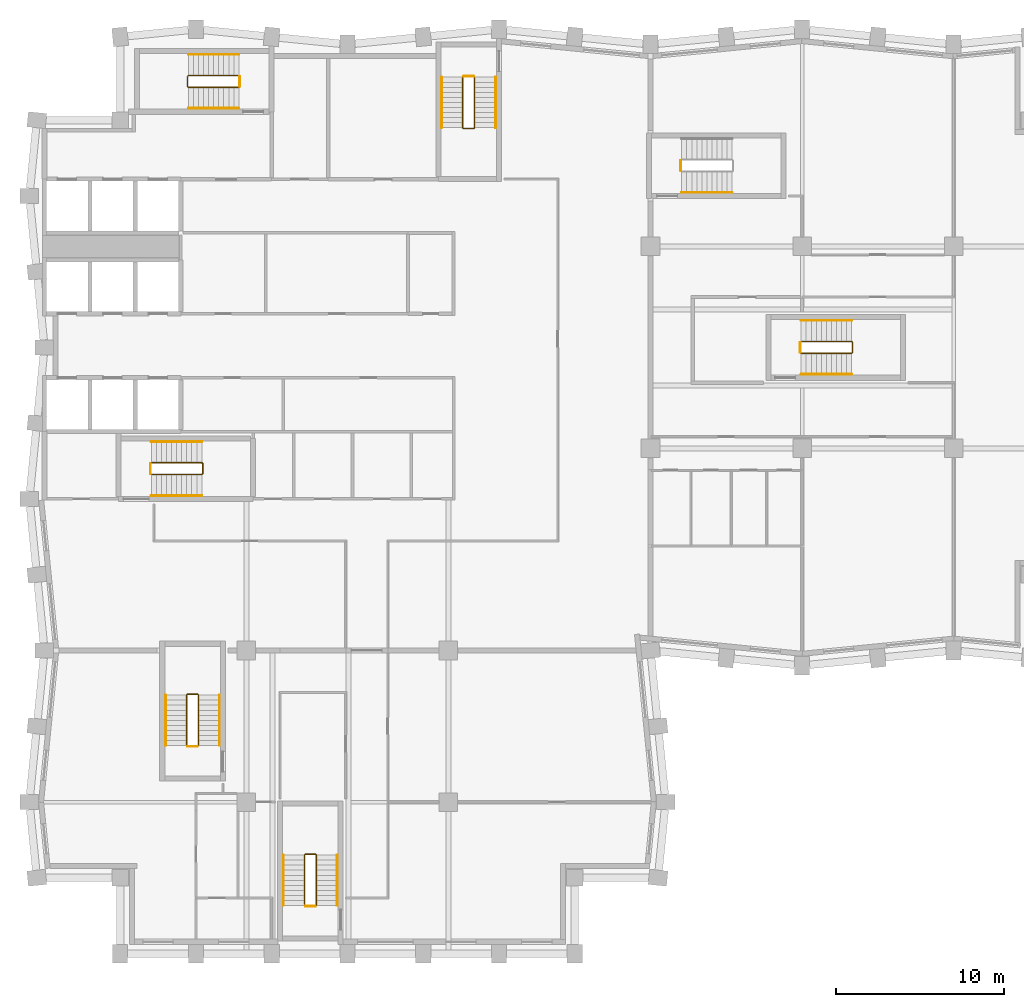
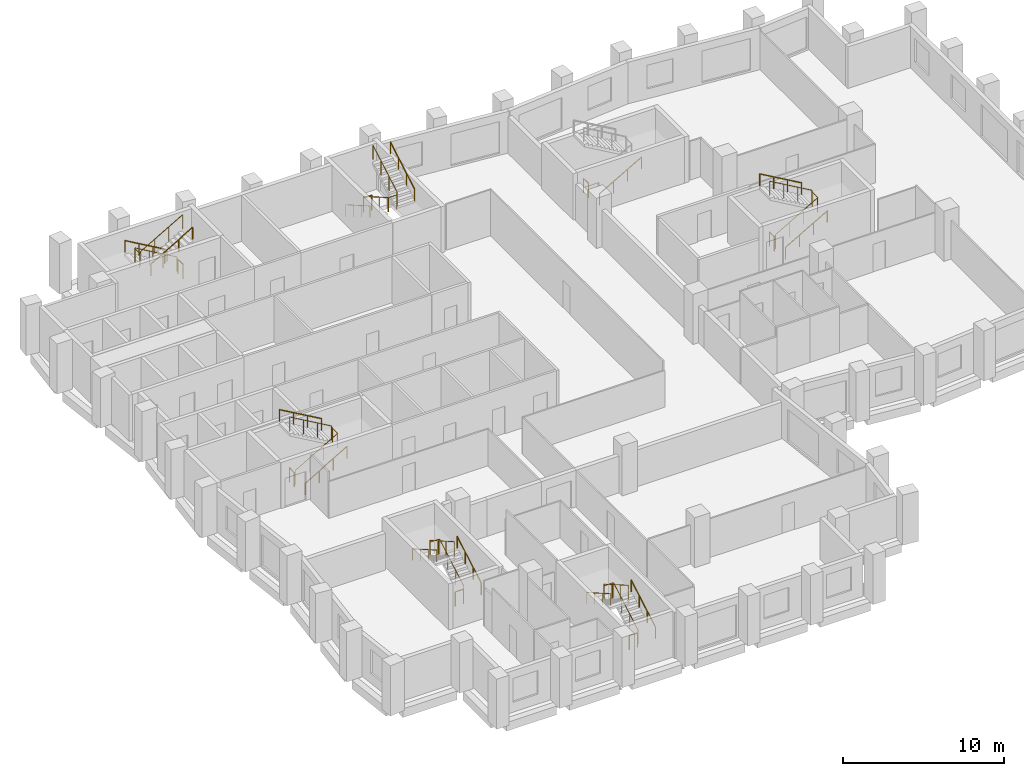
# One storey, part 9 of 10: 26 railings.
"""IFC4 building model written with IfcOpenShell, lengths in metres."""

import ifcopenshell
import ifcopenshell.guid

model = None  # the IFC model being written
_history = None  # IfcOwnerHistory: only IFC2X3 demands one
_inside = {}  # id of a spatial element -> (the spatial element, [elements in it])
_under = {}  # id of a project, library or spatial element -> (it, [spatial elements below it])
_declared = {}  # id of a project -> (the project, [libraries it declares])
_typed = {}  # id of a type object -> (the type object, [elements of that type])
_made_of = {}  # id of a material, layer set ... -> (it, [elements and type objects made of it])


def new_model(schema):
    """Start an empty IFC model of exactly this schema.

    Asked for "IFC4X3", IfcOpenShell would pick the latest addendum, in which some entities
    have other attributes; the version numbers below select the first issue.
    IFC2X3 requires an IfcOwnerHistory on every rooted entity: one is made here for all.
    """
    global model, _history
    if schema == "IFC4X3":
        model = ifcopenshell.file(schema_version=(4, 3, 0, 0))
    else:
        model = ifcopenshell.file(schema=schema)
    _inside.clear()
    _under.clear()
    _declared.clear()
    _typed.clear()
    _made_of.clear()
    _history = None
    if model.schema == "IFC2X3":
        org = make("IfcOrganization", Name="unknown")
        user = make(
            "IfcPersonAndOrganization",
            ThePerson=make("IfcPerson", FamilyName="unknown"),
            TheOrganization=org,
        )
        app = make(
            "IfcApplication",
            ApplicationDeveloper=org,
            Version="unknown",
            ApplicationFullName="unknown",
            ApplicationIdentifier="unknown",
        )
        _history = make(
            "IfcOwnerHistory",
            OwningUser=user,
            OwningApplication=app,
            ChangeAction="ADDED",
            CreationDate=0,
        )
    return model


def make(cls, **values):
    """One entity of the class cls with the attributes given. An attribute that is None is left unset."""
    return model.create_entity(
        cls, **{name: value for name, value in values.items() if value is not None}
    )


def rooted(cls, **values):
    """An entity with a GlobalId (a new one), such as an element, a storey or a relation."""
    return make(cls, GlobalId=ifcopenshell.guid.new(), OwnerHistory=_history, **values)


def si_unit(unit_type, name, prefix=None):
    """IfcSIUnit, for example si_unit("LENGTHUNIT", "METRE", prefix="MILLI")."""
    return make("IfcSIUnit", UnitType=unit_type, Prefix=prefix, Name=name)


def assignment(units):
    """IfcUnitAssignment: the units of a project."""
    return None if units is None else make("IfcUnitAssignment", Units=units)


def point(xyz):
    """IfcCartesianPoint."""
    return None if xyz is None else make("IfcCartesianPoint", Coordinates=xyz)


def direction(xyz):
    """IfcDirection."""
    return None if xyz is None else make("IfcDirection", DirectionRatios=xyz)


def frame(location, z_axis=None, x_axis=None):
    """IfcAxis2Placement3D, a coordinate frame: its origin and axes. An axis left out is left unset."""
    return make(
        "IfcAxis2Placement3D",
        Location=point(location),
        Axis=direction(z_axis),
        RefDirection=direction(x_axis),
    )


def frame_2d(location, x_axis=None):
    """IfcAxis2Placement2D, a coordinate frame in the plane: its origin and x axis."""
    return make(
        "IfcAxis2Placement2D", Location=point(location), RefDirection=direction(x_axis)
    )


def origin():
    """The frame at (0, 0, 0) with its axes left unset."""
    return frame((0.0, 0.0, 0.0))


def origin_2d():
    """The frame at (0, 0) in the plane with its x axis left unset."""
    return frame_2d((0.0, 0.0))


def place(relative_to, where):
    """IfcLocalPlacement: puts the frame where relative to a parent placement (None: the world)."""
    return make(
        "IfcLocalPlacement", PlacementRelTo=relative_to, RelativePlacement=where
    )


def context(
    kind, dimensions, precision=None, world=None, true_north=None, identifier=None
):
    """IfcGeometricRepresentationContext, for example the 3D "Model" context."""
    return make(
        "IfcGeometricRepresentationContext",
        ContextIdentifier=identifier,
        ContextType=kind,
        CoordinateSpaceDimension=dimensions,
        Precision=precision,
        WorldCoordinateSystem=world,
        TrueNorth=true_north,
    )


def subcontext(parent, identifier, kind, view, scale=None):
    """IfcGeometricRepresentationSubContext, for example "Body" below "Model"."""
    return make(
        "IfcGeometricRepresentationSubContext",
        ContextIdentifier=identifier,
        ContextType=kind,
        ParentContext=parent,
        TargetScale=scale,
        TargetView=view,
    )


def project(units=None, contexts=None):
    """IfcProject with its units and contexts."""
    return rooted(
        "IfcProject",
        Name="project",
        RepresentationContexts=contexts,
        UnitsInContext=assignment(units),
    )


def spatial(cls, under=None, at=None, **own):
    """A site, building, storey or space (cls), placed at a placement, below another one or the project."""
    s = rooted(cls, ObjectPlacement=at, **own)
    if under is not None:
        _under.setdefault(under.id(), (under, []))[1].append(s)
    return s


def profile(cls, at=None, kind="AREA", **sizes):
    """A parametric profile (cls). Its sizes go by their IFC names, for example OverallWidth=200.0."""
    return make(cls, ProfileType=kind, Position=at, **sizes)


def circle(**sizes):
    """IfcCircleProfileDef."""
    return profile("IfcCircleProfileDef", **sizes)


def extrude(swept, where, along, depth):
    """IfcExtrudedAreaSolid: the profile swept, set in the frame where, extruded along a direction by depth."""
    return make(
        "IfcExtrudedAreaSolid",
        SweptArea=swept,
        Position=where,
        ExtrudedDirection=direction(along),
        Depth=depth,
    )


def shape(context_of_items, identifier, shape_type, items):
    """IfcShapeRepresentation: the items that make up one representation, for example the "Body"."""
    return make(
        "IfcShapeRepresentation",
        ContextOfItems=context_of_items,
        RepresentationIdentifier=identifier,
        RepresentationType=shape_type,
        Items=items,
    )


def material(Name=None, Category=None):
    """IfcMaterial."""
    return make("IfcMaterial", Name=Name, Category=Category)


def made_of(thing, what):
    """Note that an element or type object is made of a material, layer set ...; save() writes the relation."""
    if what is not None:
        _made_of.setdefault(what.id(), (what, []))[1].append(thing)
    return thing


def type_object(cls, material=None, **own):
    """A type object (cls), such as IfcWallType, which elements share."""
    return made_of(rooted(cls, **own), material)


def element(
    cls,
    number,
    at=None,
    inside=None,
    cuts=None,
    type_object=None,
    material=None,
    context=None,
    identifier="Body",
    shape_type=None,
    held_by="IfcProductDefinitionShape",
    body=None,
    shapes=None,
    **own,
):
    """One element of the class cls, such as IfcWall. Its Tag is "e" and its number.

    at: its placement. inside: the storey or other place that contains it. cuts: it is an
    opening in that element (IfcRelVoidsElement). A single representation is given by context,
    identifier, shape_type and body (its items); several are given by shapes. held_by: the class
    of the entity that holds the representations. save() writes the other relations.
    """
    e = rooted(cls, Tag="e%d" % number, ObjectPlacement=at, **own)
    if body is not None:
        shapes = [shape(context, identifier, shape_type, body)]
    if shapes is not None:
        e.Representation = make(held_by, Representations=shapes)
    if inside is not None:
        _inside.setdefault(inside.id(), (inside, []))[1].append(e)
    if cuts is not None:
        rooted(
            "IfcRelVoidsElement", RelatingBuildingElement=cuts, RelatedOpeningElement=e
        )
    if type_object is not None:
        _typed.setdefault(type_object.id(), (type_object, []))[1].append(e)
    return made_of(e, material)


def aggregate(whole, parts):
    """IfcRelAggregates: a whole, such as a stair, and the parts it consists of."""
    return rooted("IfcRelAggregates", RelatingObject=whole, RelatedObjects=parts)


def save(model, path):
    """Write the relations noted so far, then the file.

    IfcRelAggregates (storeys below a building ...), IfcRelContainedInSpatialStructure (elements
    in a storey), IfcRelDefinesByType, IfcRelAssociatesMaterial and IfcRelDeclares: one each for
    every whole, place, type object, material and project.
    """
    for whole, parts in _under.values():
        aggregate(whole, parts)
    for where, things in _inside.values():
        rooted(
            "IfcRelContainedInSpatialStructure",
            RelatedElements=things,
            RelatingStructure=where,
        )
    for kind, things in _typed.values():
        rooted("IfcRelDefinesByType", RelatedObjects=things, RelatingType=kind)
    for what, things in _made_of.values():
        rooted("IfcRelAssociatesMaterial", RelatedObjects=things, RelatingMaterial=what)
    for by, libraries in _declared.values():
        rooted("IfcRelDeclares", RelatingContext=by, RelatedDefinitions=libraries)
    model.write(path)


model = new_model("IFC4")

# Units and contexts
model_context = context("Model", 3, precision=1e-05, world=origin(), true_north=direction((0.0, 1.0)))
body_context = subcontext(model_context, "Body", "Model", "MODEL_VIEW")
ifc_project = project(units=[si_unit("LENGTHUNIT", "METRE"), si_unit("AREAUNIT", "SQUARE_METRE"), si_unit("VOLUMEUNIT", "CUBIC_METRE"), si_unit("PLANEANGLEUNIT", "RADIAN"), si_unit("MASSUNIT", "GRAM", prefix="KILO")], contexts=[model_context])

# Site, building, storey
site_placement = place(None, origin())
site = spatial("IfcSite", under=ifc_project, at=site_placement, CompositionType="ELEMENT")
building_placement = place(site_placement, origin())
building = spatial("IfcBuilding", under=site, at=building_placement, Name="Brondeck Convention Tower", CompositionType="ELEMENT")
storey_placement = place(building_placement, frame((0.0, 0.0, 147.199951171875)))
storey = spatial("IfcBuildingStorey", under=building, at=storey_placement, Name="L35", CompositionType="ELEMENT", Elevation=147.199951171875)

# Railings
ifc_material = material(Name="Steel S355", Category="steel")
railing_type_1 = type_object("IfcRailingType", Name="Stair guard 1100", PredefinedType="GUARDRAIL", material=ifc_material)
railing_1_placement = place(storey_placement, frame((6.35009765625, 37.449951171875, 0.1728515625)))
element("IfcRailing", 1, at=railing_1_placement, inside=storey, type_object=railing_type_1, Name="L35 ST-1 stair guard 1", PredefinedType="GUARDRAIL", context=body_context, shape_type="SweptSolid", body=[
    extrude(circle(Radius=0.02392578125, at=origin_2d()), frame((0.0, 0.0, 1.076171875), z_axis=(0.866619684472, 0.0, 0.498969260062), x_axis=(0.0, 1.0, 0.0)), (0.0, 0.0, 1.0), 3.461669921875),
    extrude(circle(Radius=0.02392578125, at=origin_2d()), frame((3.0, 0.0, 2.80322265625), z_axis=(0.705375805398, 0.708833529934, 0.0), x_axis=(-0.708833529934, 0.705375805398, 0.0)), (0.0, 0.0, 1.0), 0.070556640625),
    extrude(circle(Radius=0.02392578125, at=origin_2d()), frame((3.0498046875, 0.050048828125, 2.80322265625), z_axis=(0.0, 1.0, 0.0), x_axis=(-1.0, 0.0, 0.0)), (0.0, 0.0, 1.0), 0.60009765625),
    extrude(circle(Radius=0.02392578125, at=origin_2d()), frame((3.0498046875, 0.650146484375, 2.80322265625), z_axis=(-0.26715648603, 0.26715648603, 0.925880566782), x_axis=(-0.707106781187, -0.707106781187, 0.0)), (0.0, 0.0, 1.0), 0.1865234375),
    extrude(circle(Radius=0.02392578125, at=origin_2d()), frame((3.0, 0.699951171875, 2.97607421875), z_axis=(-0.866619684472, 0.0, 0.498969260062), x_axis=(0.0, -1.0, 0.0)), (0.0, 0.0, 1.0), 3.461669921875),
    extrude(circle(Radius=0.02099609375, at=origin_2d()), origin(), (0.0, 0.0, 1.0), 1.052001953125),
    extrude(circle(Radius=0.02099609375, at=origin_2d()), frame((1.0, 0.0, 0.57568359375)), (0.0, 0.0, 1.0), 1.052001953125),
    extrude(circle(Radius=0.02099609375, at=origin_2d()), frame((2.0, 0.0, 1.151611328125)), (0.0, 0.0, 1.0), 1.052001953125),
    extrude(circle(Radius=0.02099609375, at=origin_2d()), frame((3.0, 0.0, 1.727294921875)), (0.0, 0.0, 1.0), 1.052001953125),
    extrude(circle(Radius=0.02099609375, at=origin_2d()), frame((3.0498046875, 0.050048828125, 1.727294921875)), (0.0, 0.0, 1.0), 1.052001953125),
    extrude(circle(Radius=0.02099609375, at=origin_2d()), frame((3.0498046875, 0.650146484375, 1.727294921875)), (0.0, 0.0, 1.0), 1.052001953125),
    extrude(circle(Radius=0.02099609375, at=origin_2d()), frame((3.0, 0.699951171875, 1.89990234375)), (0.0, 0.0, 1.0), 1.052001953125),
    extrude(circle(Radius=0.02099609375, at=origin_2d()), frame((2.0, 0.699951171875, 2.4755859375)), (0.0, 0.0, 1.0), 1.052001953125),
    extrude(circle(Radius=0.02099609375, at=origin_2d()), frame((1.0, 0.699951171875, 3.051513671875)), (0.0, 0.0, 1.0), 1.052001953125),
    extrude(circle(Radius=0.02099609375, at=origin_2d()), frame((0.0, 0.699951171875, 3.627197265625)), (0.0, 0.0, 1.0), 1.052001953125),
])
railing_2_placement = place(storey_placement, frame((6.300048828125, 37.5, 0.0)))
element("IfcRailing", 2, at=railing_2_placement, inside=storey, type_object=railing_type_1, Name="L35 ST-1 stair guard 2", PredefinedType="GUARDRAIL", context=body_context, shape_type="SweptSolid", body=[
    extrude(circle(Radius=0.02392578125, at=origin_2d()), frame((0.0, 0.0, 1.076171875), z_axis=(0.0, 1.0, 0.0), x_axis=(-1.0, 0.0, 0.0)), (0.0, 0.0, 1.0), 0.60009765625),
    extrude(circle(Radius=0.02099609375, at=origin_2d()), origin(), (0.0, 0.0, 1.0), 1.052001953125),
    extrude(circle(Radius=0.02099609375, at=origin_2d()), frame((0.0, 0.60009765625, 0.0)), (0.0, 0.0, 1.0), 1.052001953125),
])
railing_3_placement = place(storey_placement, frame((24.85009765625, 61.050048828125, 0.1728515625)))
element("IfcRailing", 3, at=railing_3_placement, inside=storey, type_object=railing_type_1, Name="L35 ST-2 stair guard 1", PredefinedType="GUARDRAIL", context=body_context, shape_type="SweptSolid", body=[
    extrude(circle(Radius=0.02392578125, at=origin_2d()), frame((0.0, 0.0, 1.076171875), z_axis=(0.0, -0.866619684472, 0.498969260062), x_axis=(1.0, 0.0, 0.0)), (0.0, 0.0, 1.0), 3.461669921875),
    extrude(circle(Radius=0.02392578125, at=origin_2d()), frame((0.0, -3.0, 2.80322265625), z_axis=(0.705375805398, -0.708833529934, 0.0), x_axis=(0.708833529934, 0.705375805398, 0.0)), (0.0, 0.0, 1.0), 0.070556640625),
    extrude(circle(Radius=0.02392578125, at=origin_2d()), frame((0.0498046875, -3.050048828125, 2.80322265625), z_axis=(1.0, 0.0, 0.0), x_axis=(0.0, 1.0, 0.0)), (0.0, 0.0, 1.0), 0.60009765625),
    extrude(circle(Radius=0.02392578125, at=origin_2d()), frame((0.64990234375, -3.050048828125, 2.80322265625), z_axis=(0.268277960024, 0.268277960024, 0.925231793839), x_axis=(-0.707106781187, 0.707106781187, 0.0)), (0.0, 0.0, 1.0), 0.1865234375),
    extrude(circle(Radius=0.02392578125, at=origin_2d()), frame((0.699951171875, -3.0, 2.97607421875), z_axis=(0.0, 0.866619684472, 0.498969260062), x_axis=(-1.0, 0.0, 0.0)), (0.0, 0.0, 1.0), 3.461669921875),
    extrude(circle(Radius=0.02099609375, at=origin_2d()), origin(), (0.0, 0.0, 1.0), 1.052001953125),
    extrude(circle(Radius=0.02099609375, at=origin_2d()), frame((0.0, -1.0, 0.57568359375)), (0.0, 0.0, 1.0), 1.052001953125),
    extrude(circle(Radius=0.02099609375, at=origin_2d()), frame((0.0, -2.0, 1.151611328125)), (0.0, 0.0, 1.0), 1.052001953125),
    extrude(circle(Radius=0.02099609375, at=origin_2d()), frame((0.0, -3.0, 1.727294921875)), (0.0, 0.0, 1.0), 1.052001953125),
    extrude(circle(Radius=0.02099609375, at=origin_2d()), frame((0.0498046875, -3.050048828125, 1.727294921875)), (0.0, 0.0, 1.0), 1.052001953125),
    extrude(circle(Radius=0.02099609375, at=origin_2d()), frame((0.64990234375, -3.050048828125, 1.727294921875)), (0.0, 0.0, 1.0), 1.052001953125),
    extrude(circle(Radius=0.02099609375, at=origin_2d()), frame((0.699951171875, -3.0, 1.89990234375)), (0.0, 0.0, 1.0), 1.052001953125),
    extrude(circle(Radius=0.02099609375, at=origin_2d()), frame((0.699951171875, -2.0, 2.4755859375)), (0.0, 0.0, 1.0), 1.052001953125),
    extrude(circle(Radius=0.02099609375, at=origin_2d()), frame((0.699951171875, -1.0, 3.051513671875)), (0.0, 0.0, 1.0), 1.052001953125),
    extrude(circle(Radius=0.02099609375, at=origin_2d()), frame((0.699951171875, 0.0, 3.627197265625)), (0.0, 0.0, 1.0), 1.052001953125),
])
railing_4_placement = place(storey_placement, frame((24.89990234375, 61.10009765625, 0.0)))
element("IfcRailing", 4, at=railing_4_placement, inside=storey, type_object=railing_type_1, Name="L35 ST-2 stair guard 2", PredefinedType="GUARDRAIL", context=body_context, shape_type="SweptSolid", body=[
    extrude(circle(Radius=0.02392578125, at=origin_2d()), frame((0.0, 0.0, 1.076171875), z_axis=(1.0, 0.0, 0.0), x_axis=(0.0, 1.0, 0.0)), (0.0, 0.0, 1.0), 0.60009765625),
    extrude(circle(Radius=0.02099609375, at=origin_2d()), origin(), (0.0, 0.0, 1.0), 1.052001953125),
    extrude(circle(Radius=0.02099609375, at=origin_2d()), frame((0.60009765625, 0.0, 0.0)), (0.0, 0.0, 1.0), 1.052001953125),
])
railing_5_placement = place(storey_placement, frame((11.550048828125, 61.14990234375, 0.1728515625)))
element("IfcRailing", 5, at=railing_5_placement, inside=storey, type_object=railing_type_1, Name="L35 ST-3 stair guard 1", PredefinedType="GUARDRAIL", context=body_context, shape_type="SweptSolid", body=[
    extrude(circle(Radius=0.02392578125, at=origin_2d()), frame((0.0, 0.0, 1.076171875), z_axis=(-0.866619684472, 0.0, 0.498969260062), x_axis=(0.0, -1.0, 0.0)), (0.0, 0.0, 1.0), 3.461669921875),
    extrude(circle(Radius=0.02392578125, at=origin_2d()), frame((-3.0, 0.0, 2.80322265625), z_axis=(-0.708833529934, -0.705375805398, 0.0), x_axis=(0.705375805398, -0.708833529934, 0.0)), (0.0, 0.0, 1.0), 0.070556640625),
    extrude(circle(Radius=0.02392578125, at=origin_2d()), frame((-3.050048828125, -0.0498046875, 2.80322265625), z_axis=(0.0, -1.0, 0.0), x_axis=(1.0, 0.0, 0.0)), (0.0, 0.0, 1.0), 0.60009765625),
    extrude(circle(Radius=0.02392578125, at=origin_2d()), frame((-3.050048828125, -0.64990234375, 2.80322265625), z_axis=(0.268277960024, -0.268277960024, 0.925231793839), x_axis=(0.707106781187, 0.707106781187, 0.0)), (0.0, 0.0, 1.0), 0.1865234375),
    extrude(circle(Radius=0.02392578125, at=origin_2d()), frame((-3.0, -0.699951171875, 2.97607421875), z_axis=(0.866619684472, 0.0, 0.498969260062), x_axis=(0.0, 1.0, 0.0)), (0.0, 0.0, 1.0), 3.461669921875),
    extrude(circle(Radius=0.02099609375, at=origin_2d()), origin(), (0.0, 0.0, 1.0), 1.052001953125),
    extrude(circle(Radius=0.02099609375, at=origin_2d()), frame((-1.0, 0.0, 0.57568359375)), (0.0, 0.0, 1.0), 1.052001953125),
    extrude(circle(Radius=0.02099609375, at=origin_2d()), frame((-2.0, 0.0, 1.151611328125)), (0.0, 0.0, 1.0), 1.052001953125),
    extrude(circle(Radius=0.02099609375, at=origin_2d()), frame((-3.0, 0.0, 1.727294921875)), (0.0, 0.0, 1.0), 1.052001953125),
    extrude(circle(Radius=0.02099609375, at=origin_2d()), frame((-3.050048828125, -0.0498046875, 1.727294921875)), (0.0, 0.0, 1.0), 1.052001953125),
    extrude(circle(Radius=0.02099609375, at=origin_2d()), frame((-3.050048828125, -0.64990234375, 1.727294921875)), (0.0, 0.0, 1.0), 1.052001953125),
    extrude(circle(Radius=0.02099609375, at=origin_2d()), frame((-3.0, -0.699951171875, 1.89990234375)), (0.0, 0.0, 1.0), 1.052001953125),
    extrude(circle(Radius=0.02099609375, at=origin_2d()), frame((-2.0, -0.699951171875, 2.4755859375)), (0.0, 0.0, 1.0), 1.052001953125),
    extrude(circle(Radius=0.02099609375, at=origin_2d()), frame((-1.0, -0.699951171875, 3.051513671875)), (0.0, 0.0, 1.0), 1.052001953125),
    extrude(circle(Radius=0.02099609375, at=origin_2d()), frame((0.0, -0.699951171875, 3.627197265625)), (0.0, 0.0, 1.0), 1.052001953125),
])
railing_6_placement = place(storey_placement, frame((11.60009765625, 61.10009765625, 0.0)))
element("IfcRailing", 6, at=railing_6_placement, inside=storey, type_object=railing_type_1, Name="L35 ST-3 stair guard 2", PredefinedType="GUARDRAIL", context=body_context, shape_type="SweptSolid", body=[
    extrude(circle(Radius=0.02392578125, at=origin_2d()), frame((0.0, 0.0, 1.076171875), z_axis=(0.0, -1.0, 0.0), x_axis=(1.0, 0.0, 0.0)), (0.0, 0.0, 1.0), 0.60009765625),
    extrude(circle(Radius=0.02099609375, at=origin_2d()), origin(), (0.0, 0.0, 1.0), 1.052001953125),
    extrude(circle(Radius=0.02099609375, at=origin_2d()), frame((0.0, -0.60009765625, 0.0)), (0.0, 0.0, 1.0), 1.052001953125),
])
railing_7_placement = place(storey_placement, frame((37.800048828125, 55.5, 0.0)))
element("IfcRailing", 7, at=railing_7_placement, inside=storey, type_object=railing_type_1, Name="L35 ST-AE stair guard 2", PredefinedType="GUARDRAIL", context=body_context, shape_type="SweptSolid", body=[
    extrude(circle(Radius=0.02392578125, at=origin_2d()), frame((0.0, 0.0, 1.076171875), z_axis=(0.0, 1.0, 0.0), x_axis=(-1.0, 0.0, 0.0)), (0.0, 0.0, 1.0), 0.60009765625),
    extrude(circle(Radius=0.02099609375, at=origin_2d()), origin(), (0.0, 0.0, 1.0), 1.052001953125),
    extrude(circle(Radius=0.02099609375, at=origin_2d()), frame((0.0, 0.60009765625, 0.0)), (0.0, 0.0, 1.0), 1.052001953125),
])
railing_8_placement = place(storey_placement, frame((9.14990234375, 21.35009765625, 0.1728515625)))
element("IfcRailing", 8, at=railing_8_placement, inside=storey, type_object=railing_type_1, Name="L35 ST-BE stair guard 1", PredefinedType="GUARDRAIL", context=body_context, shape_type="SweptSolid", body=[
    extrude(circle(Radius=0.02392578125, at=origin_2d()), frame((0.0, 0.0, 1.076171875), z_axis=(0.0, 0.866619684472, 0.498969260062), x_axis=(-1.0, 0.0, 0.0)), (0.0, 0.0, 1.0), 3.461669921875),
    extrude(circle(Radius=0.02392578125, at=origin_2d()), frame((0.0, 3.0, 2.80322265625), z_axis=(-0.707106781187, 0.707106781187, 0.0), x_axis=(-0.707106781187, -0.707106781187, 0.0)), (0.0, 0.0, 1.0), 0.0703125),
    extrude(circle(Radius=0.02392578125, at=origin_2d()), frame((-0.0498046875, 3.0498046875, 2.80322265625), z_axis=(-1.0, 0.0, 0.0), x_axis=(0.0, -1.0, 0.0)), (0.0, 0.0, 1.0), 0.60009765625),
    extrude(circle(Radius=0.02392578125, at=origin_2d()), frame((-0.64990234375, 3.0498046875, 2.80322265625), z_axis=(-0.268371968888, -0.267062837333, 0.925556009775), x_axis=(0.705375805398, -0.708833529934, 0.0)), (0.0, 0.0, 1.0), 0.1865234375),
    extrude(circle(Radius=0.02392578125, at=origin_2d()), frame((-0.699951171875, 3.0, 2.97607421875), z_axis=(0.0, -0.866619684472, 0.498969260062), x_axis=(1.0, 0.0, 0.0)), (0.0, 0.0, 1.0), 3.461669921875),
    extrude(circle(Radius=0.02099609375, at=origin_2d()), origin(), (0.0, 0.0, 1.0), 1.052001953125),
    extrude(circle(Radius=0.02099609375, at=origin_2d()), frame((0.0, 1.0, 0.57568359375)), (0.0, 0.0, 1.0), 1.052001953125),
    extrude(circle(Radius=0.02099609375, at=origin_2d()), frame((0.0, 2.0, 1.151611328125)), (0.0, 0.0, 1.0), 1.052001953125),
    extrude(circle(Radius=0.02099609375, at=origin_2d()), frame((0.0, 3.0, 1.727294921875)), (0.0, 0.0, 1.0), 1.052001953125),
    extrude(circle(Radius=0.02099609375, at=origin_2d()), frame((-0.0498046875, 3.0498046875, 1.727294921875)), (0.0, 0.0, 1.0), 1.052001953125),
    extrude(circle(Radius=0.02099609375, at=origin_2d()), frame((-0.64990234375, 3.0498046875, 1.727294921875)), (0.0, 0.0, 1.0), 1.052001953125),
    extrude(circle(Radius=0.02099609375, at=origin_2d()), frame((-0.699951171875, 3.0, 1.89990234375)), (0.0, 0.0, 1.0), 1.052001953125),
    extrude(circle(Radius=0.02099609375, at=origin_2d()), frame((-0.699951171875, 2.0, 2.4755859375)), (0.0, 0.0, 1.0), 1.052001953125),
    extrude(circle(Radius=0.02099609375, at=origin_2d()), frame((-0.699951171875, 1.0, 3.051513671875)), (0.0, 0.0, 1.0), 1.052001953125),
    extrude(circle(Radius=0.02099609375, at=origin_2d()), frame((-0.699951171875, 0.0, 3.627197265625)), (0.0, 0.0, 1.0), 1.052001953125),
])
railing_9_placement = place(storey_placement, frame((9.10009765625, 21.300048828125, 0.0)))
element("IfcRailing", 9, at=railing_9_placement, inside=storey, type_object=railing_type_1, Name="L35 ST-BE stair guard 2", PredefinedType="GUARDRAIL", context=body_context, shape_type="SweptSolid", body=[
    extrude(circle(Radius=0.02392578125, at=origin_2d()), frame((0.0, 0.0, 1.076171875), z_axis=(-1.0, 0.0, 0.0), x_axis=(0.0, -1.0, 0.0)), (0.0, 0.0, 1.0), 0.60009765625),
    extrude(circle(Radius=0.02099609375, at=origin_2d()), origin(), (0.0, 0.0, 1.0), 1.052001953125),
    extrude(circle(Radius=0.02099609375, at=origin_2d()), frame((-0.60009765625, 0.0, 0.0)), (0.0, 0.0, 1.0), 1.052001953125),
])
railing_10_placement = place(storey_placement, frame((44.949951171875, 44.64990234375, 0.1728515625)))
element("IfcRailing", 10, at=railing_10_placement, inside=storey, type_object=railing_type_1, Name="L35 ST-AF stair guard 1", PredefinedType="GUARDRAIL", context=body_context, shape_type="SweptSolid", body=[
    extrude(circle(Radius=0.02392578125, at=origin_2d()), frame((0.0, 0.0, 1.076171875), z_axis=(0.866619684472, 0.0, 0.498969260062), x_axis=(0.0, 1.0, 0.0)), (0.0, 0.0, 1.0), 3.461669921875),
    extrude(circle(Radius=0.02392578125, at=origin_2d()), frame((3.0, 0.0, 2.80322265625), z_axis=(0.707106781187, 0.707106781187, 0.0), x_axis=(-0.707106781187, 0.707106781187, 0.0)), (0.0, 0.0, 1.0), 0.07080078125),
    extrude(circle(Radius=0.02392578125, at=origin_2d()), frame((3.050048828125, 0.050048828125, 2.80322265625), z_axis=(0.0, 1.0, 0.0), x_axis=(-1.0, 0.0, 0.0)), (0.0, 0.0, 1.0), 0.60009765625),
    extrude(circle(Radius=0.02392578125, at=origin_2d()), frame((3.050048828125, 0.650146484375, 2.80322265625), z_axis=(-0.268277960024, 0.268277960024, 0.925231793839), x_axis=(-0.707106781187, -0.707106781187, 0.0)), (0.0, 0.0, 1.0), 0.1865234375),
    extrude(circle(Radius=0.02392578125, at=origin_2d()), frame((3.0, 0.7001953125, 2.97607421875), z_axis=(-0.866619684472, 0.0, 0.498969260062), x_axis=(0.0, -1.0, 0.0)), (0.0, 0.0, 1.0), 3.461669921875),
    extrude(circle(Radius=0.02099609375, at=origin_2d()), origin(), (0.0, 0.0, 1.0), 1.052001953125),
    extrude(circle(Radius=0.02099609375, at=origin_2d()), frame((1.0, 0.0, 0.57568359375)), (0.0, 0.0, 1.0), 1.052001953125),
    extrude(circle(Radius=0.02099609375, at=origin_2d()), frame((2.0, 0.0, 1.151611328125)), (0.0, 0.0, 1.0), 1.052001953125),
    extrude(circle(Radius=0.02099609375, at=origin_2d()), frame((3.0, 0.0, 1.727294921875)), (0.0, 0.0, 1.0), 1.052001953125),
    extrude(circle(Radius=0.02099609375, at=origin_2d()), frame((3.050048828125, 0.050048828125, 1.727294921875)), (0.0, 0.0, 1.0), 1.052001953125),
    extrude(circle(Radius=0.02099609375, at=origin_2d()), frame((3.050048828125, 0.650146484375, 1.727294921875)), (0.0, 0.0, 1.0), 1.052001953125),
    extrude(circle(Radius=0.02099609375, at=origin_2d()), frame((3.0, 0.7001953125, 1.89990234375)), (0.0, 0.0, 1.0), 1.052001953125),
    extrude(circle(Radius=0.02099609375, at=origin_2d()), frame((2.0, 0.7001953125, 2.4755859375)), (0.0, 0.0, 1.0), 1.052001953125),
    extrude(circle(Radius=0.02099609375, at=origin_2d()), frame((1.0, 0.7001953125, 3.051513671875)), (0.0, 0.0, 1.0), 1.052001953125),
    extrude(circle(Radius=0.02099609375, at=origin_2d()), frame((0.0, 0.7001953125, 3.627197265625)), (0.0, 0.0, 1.0), 1.052001953125),
])
railing_11_placement = place(storey_placement, frame((44.89990234375, 44.699951171875, 0.0)))
element("IfcRailing", 11, at=railing_11_placement, inside=storey, type_object=railing_type_1, Name="L35 ST-AF stair guard 2", PredefinedType="GUARDRAIL", context=body_context, shape_type="SweptSolid", body=[
    extrude(circle(Radius=0.02392578125, at=origin_2d()), frame((0.0, 0.0, 1.076171875), z_axis=(0.0, 1.0, 0.0), x_axis=(-1.0, 0.0, 0.0)), (0.0, 0.0, 1.0), 0.60009765625),
    extrude(circle(Radius=0.02099609375, at=origin_2d()), origin(), (0.0, 0.0, 1.0), 1.052001953125),
    extrude(circle(Radius=0.02099609375, at=origin_2d()), frame((0.0, 0.60009765625, 0.0)), (0.0, 0.0, 1.0), 1.052001953125),
])
railing_12_placement = place(storey_placement, frame((16.14990234375, 11.85009765625, 0.1728515625)))
element("IfcRailing", 12, at=railing_12_placement, inside=storey, type_object=railing_type_1, Name="L35 ST-BF stair guard 1", PredefinedType="GUARDRAIL", context=body_context, shape_type="SweptSolid", body=[
    extrude(circle(Radius=0.02392578125, at=origin_2d()), frame((0.0, 0.0, 1.076171875), z_axis=(0.0, 0.866619684472, 0.498969260062), x_axis=(-1.0, 0.0, 0.0)), (0.0, 0.0, 1.0), 3.461669921875),
    extrude(circle(Radius=0.02392578125, at=origin_2d()), frame((0.0, 3.0, 2.80322265625), z_axis=(-0.707106781187, 0.707106781187, 0.0), x_axis=(-0.707106781187, -0.707106781187, 0.0)), (0.0, 0.0, 1.0), 0.0703125),
    extrude(circle(Radius=0.02392578125, at=origin_2d()), frame((-0.0498046875, 3.0498046875, 2.80322265625), z_axis=(-1.0, 0.0, 0.0), x_axis=(0.0, -1.0, 0.0)), (0.0, 0.0, 1.0), 0.60009765625),
    extrude(circle(Radius=0.02392578125, at=origin_2d()), frame((-0.64990234375, 3.0498046875, 2.80322265625), z_axis=(-0.268371968888, -0.267062837333, 0.925556009775), x_axis=(0.705375805398, -0.708833529934, 0.0)), (0.0, 0.0, 1.0), 0.1865234375),
    extrude(circle(Radius=0.02392578125, at=origin_2d()), frame((-0.699951171875, 3.0, 2.97607421875), z_axis=(0.0, -0.866619684472, 0.498969260062), x_axis=(1.0, 0.0, 0.0)), (0.0, 0.0, 1.0), 3.461669921875),
    extrude(circle(Radius=0.02099609375, at=origin_2d()), origin(), (0.0, 0.0, 1.0), 1.052001953125),
    extrude(circle(Radius=0.02099609375, at=origin_2d()), frame((0.0, 1.0, 0.57568359375)), (0.0, 0.0, 1.0), 1.052001953125),
    extrude(circle(Radius=0.02099609375, at=origin_2d()), frame((0.0, 2.0, 1.151611328125)), (0.0, 0.0, 1.0), 1.052001953125),
    extrude(circle(Radius=0.02099609375, at=origin_2d()), frame((0.0, 3.0, 1.727294921875)), (0.0, 0.0, 1.0), 1.052001953125),
    extrude(circle(Radius=0.02099609375, at=origin_2d()), frame((-0.0498046875, 3.0498046875, 1.727294921875)), (0.0, 0.0, 1.0), 1.052001953125),
    extrude(circle(Radius=0.02099609375, at=origin_2d()), frame((-0.64990234375, 3.0498046875, 1.727294921875)), (0.0, 0.0, 1.0), 1.052001953125),
    extrude(circle(Radius=0.02099609375, at=origin_2d()), frame((-0.699951171875, 3.0, 1.89990234375)), (0.0, 0.0, 1.0), 1.052001953125),
    extrude(circle(Radius=0.02099609375, at=origin_2d()), frame((-0.699951171875, 2.0, 2.4755859375)), (0.0, 0.0, 1.0), 1.052001953125),
    extrude(circle(Radius=0.02099609375, at=origin_2d()), frame((-0.699951171875, 1.0, 3.051513671875)), (0.0, 0.0, 1.0), 1.052001953125),
    extrude(circle(Radius=0.02099609375, at=origin_2d()), frame((-0.699951171875, 0.0, 3.627197265625)), (0.0, 0.0, 1.0), 1.052001953125),
])
railing_13_placement = place(storey_placement, frame((16.10009765625, 11.800048828125, 0.0)))
element("IfcRailing", 13, at=railing_13_placement, inside=storey, type_object=railing_type_1, Name="L35 ST-BF stair guard 2", PredefinedType="GUARDRAIL", context=body_context, shape_type="SweptSolid", body=[
    extrude(circle(Radius=0.02392578125, at=origin_2d()), frame((0.0, 0.0, 1.076171875), z_axis=(-1.0, 0.0, 0.0), x_axis=(0.0, -1.0, 0.0)), (0.0, 0.0, 1.0), 0.60009765625),
    extrude(circle(Radius=0.02099609375, at=origin_2d()), origin(), (0.0, 0.0, 1.0), 1.052001953125),
    extrude(circle(Radius=0.02099609375, at=origin_2d()), frame((-0.60009765625, 0.0, 0.0)), (0.0, 0.0, 1.0), 1.052001953125),
])
railing_type_2 = type_object("IfcRailingType", Name="Stair handrail", PredefinedType="HANDRAIL", material=ifc_material)
railing_14_placement = place(storey_placement, frame((6.35009765625, 36.199951171875, 0.1728515625)))
element("IfcRailing", 14, at=railing_14_placement, inside=storey, type_object=railing_type_2, Name="L35 ST-1 stair handrail 1", PredefinedType="HANDRAIL", context=body_context, shape_type="SweptSolid", body=[
    extrude(circle(Radius=0.02392578125, at=origin_2d()), frame((0.0, 0.0, 0.8759765625), z_axis=(0.866619684472, 0.0, 0.498969260062), x_axis=(0.0, 1.0, 0.0)), (0.0, 0.0, 1.0), 3.461669921875),
    extrude(circle(Radius=0.02099609375, at=origin_2d()), origin(), (0.0, 0.0, 1.0), 0.851806640625),
    extrude(circle(Radius=0.02099609375, at=origin_2d()), frame((1.0, 0.0, 0.57568359375)), (0.0, 0.0, 1.0), 0.851806640625),
    extrude(circle(Radius=0.02099609375, at=origin_2d()), frame((2.0, 0.0, 1.151611328125)), (0.0, 0.0, 1.0), 0.851806640625),
    extrude(circle(Radius=0.02099609375, at=origin_2d()), frame((3.0, 0.0, 1.727294921875)), (0.0, 0.0, 1.0), 0.851806640625),
])
railing_15_placement = place(storey_placement, frame((9.35009765625, 39.39990234375, 2.07275390625)))
element("IfcRailing", 15, at=railing_15_placement, inside=storey, type_object=railing_type_2, Name="L35 ST-1 stair handrail 2", PredefinedType="HANDRAIL", context=body_context, shape_type="SweptSolid", body=[
    extrude(circle(Radius=0.02392578125, at=origin_2d()), frame((0.0, 0.0, 0.8759765625), z_axis=(-0.866619684472, 0.0, 0.498969260062), x_axis=(0.0, -1.0, 0.0)), (0.0, 0.0, 1.0), 3.461669921875),
    extrude(circle(Radius=0.02099609375, at=origin_2d()), origin(), (0.0, 0.0, 1.0), 0.851806640625),
    extrude(circle(Radius=0.02099609375, at=origin_2d()), frame((-1.0, 0.0, 0.57568359375)), (0.0, 0.0, 1.0), 0.851806640625),
    extrude(circle(Radius=0.02099609375, at=origin_2d()), frame((-2.0, 0.0, 1.151611328125)), (0.0, 0.0, 1.0), 0.851806640625),
    extrude(circle(Radius=0.02099609375, at=origin_2d()), frame((-3.0, 0.0, 1.727294921875)), (0.0, 0.0, 1.0), 0.851806640625),
])
railing_16_placement = place(storey_placement, frame((23.60009765625, 61.050048828125, 0.1728515625)))
element("IfcRailing", 16, at=railing_16_placement, inside=storey, type_object=railing_type_2, Name="L35 ST-2 stair handrail 1", PredefinedType="HANDRAIL", context=body_context, shape_type="SweptSolid", body=[
    extrude(circle(Radius=0.02392578125, at=origin_2d()), frame((0.0, 0.0, 0.8759765625), z_axis=(0.0, -0.866619684472, 0.498969260062), x_axis=(1.0, 0.0, 0.0)), (0.0, 0.0, 1.0), 3.461669921875),
    extrude(circle(Radius=0.02099609375, at=origin_2d()), origin(), (0.0, 0.0, 1.0), 0.851806640625),
    extrude(circle(Radius=0.02099609375, at=origin_2d()), frame((0.0, -1.0, 0.57568359375)), (0.0, 0.0, 1.0), 0.851806640625),
    extrude(circle(Radius=0.02099609375, at=origin_2d()), frame((0.0, -2.0, 1.151611328125)), (0.0, 0.0, 1.0), 0.851806640625),
    extrude(circle(Radius=0.02099609375, at=origin_2d()), frame((0.0, -3.0, 1.727294921875)), (0.0, 0.0, 1.0), 0.851806640625),
])
railing_17_placement = place(storey_placement, frame((26.800048828125, 58.050048828125, 2.07275390625)))
element("IfcRailing", 17, at=railing_17_placement, inside=storey, type_object=railing_type_2, Name="L35 ST-2 stair handrail 2", PredefinedType="HANDRAIL", context=body_context, shape_type="SweptSolid", body=[
    extrude(circle(Radius=0.02392578125, at=origin_2d()), frame((0.0, 0.0, 0.8759765625), z_axis=(0.0, 0.866619684472, 0.498969260062), x_axis=(-1.0, 0.0, 0.0)), (0.0, 0.0, 1.0), 3.461669921875),
    extrude(circle(Radius=0.02099609375, at=origin_2d()), origin(), (0.0, 0.0, 1.0), 0.851806640625),
    extrude(circle(Radius=0.02099609375, at=origin_2d()), frame((0.0, 1.0, 0.57568359375)), (0.0, 0.0, 1.0), 0.851806640625),
    extrude(circle(Radius=0.02099609375, at=origin_2d()), frame((0.0, 2.0, 1.151611328125)), (0.0, 0.0, 1.0), 0.851806640625),
    extrude(circle(Radius=0.02099609375, at=origin_2d()), frame((0.0, 3.0, 1.727294921875)), (0.0, 0.0, 1.0), 0.851806640625),
])
railing_18_placement = place(storey_placement, frame((11.550048828125, 62.39990234375, 0.1728515625)))
element("IfcRailing", 18, at=railing_18_placement, inside=storey, type_object=railing_type_2, Name="L35 ST-3 stair handrail 1", PredefinedType="HANDRAIL", context=body_context, shape_type="SweptSolid", body=[
    extrude(circle(Radius=0.02392578125, at=origin_2d()), frame((0.0, 0.0, 0.8759765625), z_axis=(-0.866619684472, 0.0, 0.498969260062), x_axis=(0.0, -1.0, 0.0)), (0.0, 0.0, 1.0), 3.461669921875),
    extrude(circle(Radius=0.02099609375, at=origin_2d()), origin(), (0.0, 0.0, 1.0), 0.851806640625),
    extrude(circle(Radius=0.02099609375, at=origin_2d()), frame((-1.0, 0.0, 0.57568359375)), (0.0, 0.0, 1.0), 0.851806640625),
    extrude(circle(Radius=0.02099609375, at=origin_2d()), frame((-2.0, 0.0, 1.151611328125)), (0.0, 0.0, 1.0), 0.851806640625),
    extrude(circle(Radius=0.02099609375, at=origin_2d()), frame((-3.0, 0.0, 1.727294921875)), (0.0, 0.0, 1.0), 0.851806640625),
])
for number, where, name in (
    (19, (8.550048828125, 59.199951171875, 2.07275390625), "L35 ST-3 stair handrail 2"),
    (20, (37.85009765625, 54.199951171875, 0.1728515625), "L35 ST-AE stair handrail 1"),
):
    element("IfcRailing", number, at=place(storey_placement, frame(where)), inside=storey, type_object=railing_type_2, Name=name, PredefinedType="HANDRAIL", context=body_context, shape_type="SweptSolid", body=[
        extrude(circle(Radius=0.02392578125, at=origin_2d()), frame((0.0, 0.0, 0.8759765625), z_axis=(0.866619684472, 0.0, 0.498969260062), x_axis=(0.0, 1.0, 0.0)), (0.0, 0.0, 1.0), 3.461669921875),
        extrude(circle(Radius=0.02099609375, at=origin_2d()), origin(), (0.0, 0.0, 1.0), 0.851806640625),
        extrude(circle(Radius=0.02099609375, at=origin_2d()), frame((1.0, 0.0, 0.57568359375)), (0.0, 0.0, 1.0), 0.851806640625),
        extrude(circle(Radius=0.02099609375, at=origin_2d()), frame((2.0, 0.0, 1.151611328125)), (0.0, 0.0, 1.0), 0.851806640625),
        extrude(circle(Radius=0.02099609375, at=origin_2d()), frame((3.0, 0.0, 1.727294921875)), (0.0, 0.0, 1.0), 0.851806640625),
    ])
railing_19_placement = place(storey_placement, frame((10.39990234375, 21.35009765625, 0.1728515625)))
element("IfcRailing", 21, at=railing_19_placement, inside=storey, type_object=railing_type_2, Name="L35 ST-BE stair handrail 1", PredefinedType="HANDRAIL", context=body_context, shape_type="SweptSolid", body=[
    extrude(circle(Radius=0.02392578125, at=origin_2d()), frame((0.0, 0.0, 0.8759765625), z_axis=(0.0, 0.866619684472, 0.498969260062), x_axis=(-1.0, 0.0, 0.0)), (0.0, 0.0, 1.0), 3.461669921875),
    extrude(circle(Radius=0.02099609375, at=origin_2d()), origin(), (0.0, 0.0, 1.0), 0.851806640625),
    extrude(circle(Radius=0.02099609375, at=origin_2d()), frame((0.0, 1.0, 0.57568359375)), (0.0, 0.0, 1.0), 0.851806640625),
    extrude(circle(Radius=0.02099609375, at=origin_2d()), frame((0.0, 2.0, 1.151611328125)), (0.0, 0.0, 1.0), 0.851806640625),
    extrude(circle(Radius=0.02099609375, at=origin_2d()), frame((0.0, 3.0, 1.727294921875)), (0.0, 0.0, 1.0), 0.851806640625),
])
railing_20_placement = place(storey_placement, frame((7.199951171875, 24.35009765625, 2.07275390625)))
element("IfcRailing", 22, at=railing_20_placement, inside=storey, type_object=railing_type_2, Name="L35 ST-BE stair handrail 2", PredefinedType="HANDRAIL", context=body_context, shape_type="SweptSolid", body=[
    extrude(circle(Radius=0.02392578125, at=origin_2d()), frame((0.0, 0.0, 0.8759765625), z_axis=(0.0, -0.866619684472, 0.498969260062), x_axis=(1.0, 0.0, 0.0)), (0.0, 0.0, 1.0), 3.461669921875),
    extrude(circle(Radius=0.02099609375, at=origin_2d()), origin(), (0.0, 0.0, 1.0), 0.851806640625),
    extrude(circle(Radius=0.02099609375, at=origin_2d()), frame((0.0, -1.0, 0.57568359375)), (0.0, 0.0, 1.0), 0.851806640625),
    extrude(circle(Radius=0.02099609375, at=origin_2d()), frame((0.0, -2.0, 1.151611328125)), (0.0, 0.0, 1.0), 0.851806640625),
    extrude(circle(Radius=0.02099609375, at=origin_2d()), frame((0.0, -3.0, 1.727294921875)), (0.0, 0.0, 1.0), 0.851806640625),
])
railing_21_placement = place(storey_placement, frame((44.949951171875, 43.39990234375, 0.1728515625)))
element("IfcRailing", 23, at=railing_21_placement, inside=storey, type_object=railing_type_2, Name="L35 ST-AF stair handrail 1", PredefinedType="HANDRAIL", context=body_context, shape_type="SweptSolid", body=[
    extrude(circle(Radius=0.02392578125, at=origin_2d()), frame((0.0, 0.0, 0.8759765625), z_axis=(0.866619684472, 0.0, 0.498969260062), x_axis=(0.0, 1.0, 0.0)), (0.0, 0.0, 1.0), 3.461669921875),
    extrude(circle(Radius=0.02099609375, at=origin_2d()), origin(), (0.0, 0.0, 1.0), 0.851806640625),
    extrude(circle(Radius=0.02099609375, at=origin_2d()), frame((1.0, 0.0, 0.57568359375)), (0.0, 0.0, 1.0), 0.851806640625),
    extrude(circle(Radius=0.02099609375, at=origin_2d()), frame((2.0, 0.0, 1.151611328125)), (0.0, 0.0, 1.0), 0.851806640625),
    extrude(circle(Radius=0.02099609375, at=origin_2d()), frame((3.0, 0.0, 1.727294921875)), (0.0, 0.0, 1.0), 0.851806640625),
])
railing_22_placement = place(storey_placement, frame((47.949951171875, 46.60009765625, 2.07275390625)))
element("IfcRailing", 24, at=railing_22_placement, inside=storey, type_object=railing_type_2, Name="L35 ST-AF stair handrail 2", PredefinedType="HANDRAIL", context=body_context, shape_type="SweptSolid", body=[
    extrude(circle(Radius=0.02392578125, at=origin_2d()), frame((0.0, 0.0, 0.8759765625), z_axis=(-0.866619684472, 0.0, 0.498969260062), x_axis=(0.0, -1.0, 0.0)), (0.0, 0.0, 1.0), 3.461669921875),
    extrude(circle(Radius=0.02099609375, at=origin_2d()), origin(), (0.0, 0.0, 1.0), 0.851806640625),
    extrude(circle(Radius=0.02099609375, at=origin_2d()), frame((-1.0, 0.0, 0.57568359375)), (0.0, 0.0, 1.0), 0.851806640625),
    extrude(circle(Radius=0.02099609375, at=origin_2d()), frame((-2.0, 0.0, 1.151611328125)), (0.0, 0.0, 1.0), 0.851806640625),
    extrude(circle(Radius=0.02099609375, at=origin_2d()), frame((-3.0, 0.0, 1.727294921875)), (0.0, 0.0, 1.0), 0.851806640625),
])
railing_23_placement = place(storey_placement, frame((17.39990234375, 11.85009765625, 0.1728515625)))
element("IfcRailing", 25, at=railing_23_placement, inside=storey, type_object=railing_type_2, Name="L35 ST-BF stair handrail 1", PredefinedType="HANDRAIL", context=body_context, shape_type="SweptSolid", body=[
    extrude(circle(Radius=0.02392578125, at=origin_2d()), frame((0.0, 0.0, 0.8759765625), z_axis=(0.0, 0.866619684472, 0.498969260062), x_axis=(-1.0, 0.0, 0.0)), (0.0, 0.0, 1.0), 3.461669921875),
    extrude(circle(Radius=0.02099609375, at=origin_2d()), origin(), (0.0, 0.0, 1.0), 0.851806640625),
    extrude(circle(Radius=0.02099609375, at=origin_2d()), frame((0.0, 1.0, 0.57568359375)), (0.0, 0.0, 1.0), 0.851806640625),
    extrude(circle(Radius=0.02099609375, at=origin_2d()), frame((0.0, 2.0, 1.151611328125)), (0.0, 0.0, 1.0), 0.851806640625),
    extrude(circle(Radius=0.02099609375, at=origin_2d()), frame((0.0, 3.0, 1.727294921875)), (0.0, 0.0, 1.0), 0.851806640625),
])
railing_24_placement = place(storey_placement, frame((14.199951171875, 14.85009765625, 2.07275390625)))
element("IfcRailing", 26, at=railing_24_placement, inside=storey, type_object=railing_type_2, Name="L35 ST-BF stair handrail 2", PredefinedType="HANDRAIL", context=body_context, shape_type="SweptSolid", body=[
    extrude(circle(Radius=0.02392578125, at=origin_2d()), frame((0.0, 0.0, 0.8759765625), z_axis=(0.0, -0.866619684472, 0.498969260062), x_axis=(1.0, 0.0, 0.0)), (0.0, 0.0, 1.0), 3.461669921875),
    extrude(circle(Radius=0.02099609375, at=origin_2d()), origin(), (0.0, 0.0, 1.0), 0.851806640625),
    extrude(circle(Radius=0.02099609375, at=origin_2d()), frame((0.0, -1.0, 0.57568359375)), (0.0, 0.0, 1.0), 0.851806640625),
    extrude(circle(Radius=0.02099609375, at=origin_2d()), frame((0.0, -2.0, 1.151611328125)), (0.0, 0.0, 1.0), 0.851806640625),
    extrude(circle(Radius=0.02099609375, at=origin_2d()), frame((0.0, -3.0, 1.727294921875)), (0.0, 0.0, 1.0), 0.851806640625),
])

save(model, "model.ifc")
